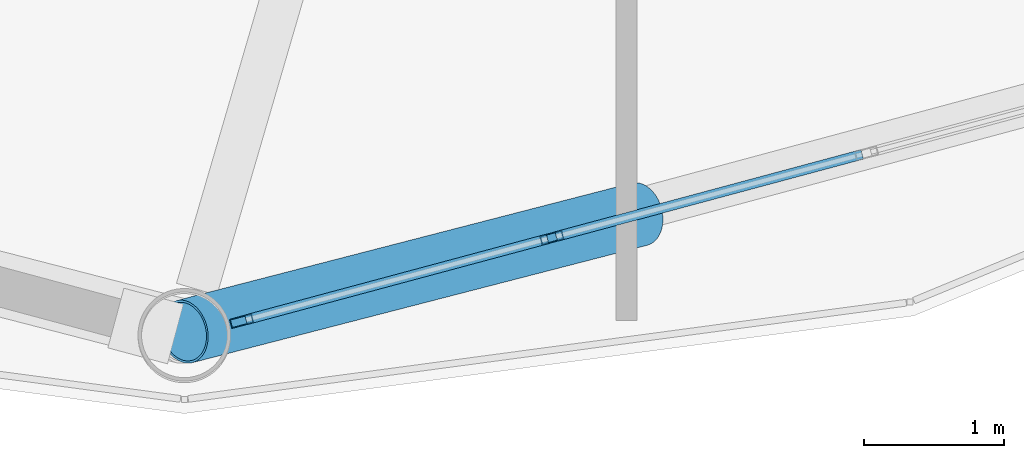
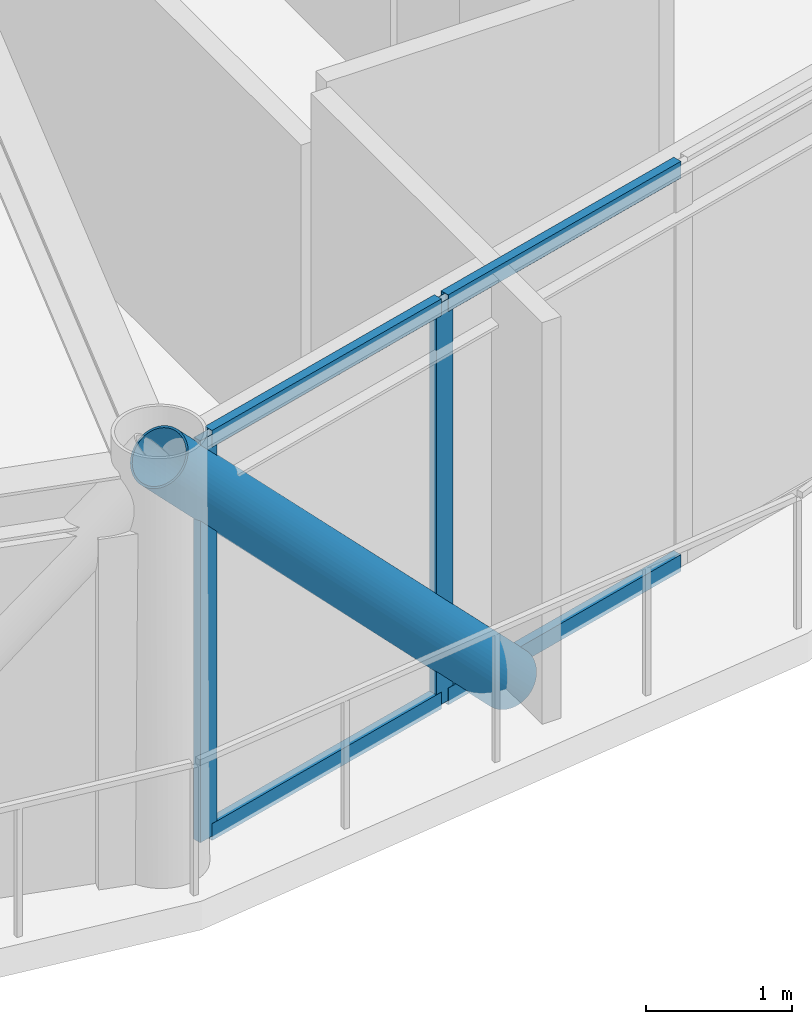
# One storey, part 8 of 29: 7 members, 1 element without a shape of its own.
"""IFC4 building model written with IfcOpenShell, lengths in metres."""

import ifcopenshell
import ifcopenshell.guid

model = None  # the IFC model being written
_history = None  # IfcOwnerHistory: only IFC2X3 demands one
_inside = {}  # id of a spatial element -> (the spatial element, [elements in it])
_under = {}  # id of a project, library or spatial element -> (it, [spatial elements below it])
_declared = {}  # id of a project -> (the project, [libraries it declares])
_typed = {}  # id of a type object -> (the type object, [elements of that type])
_made_of = {}  # id of a material, layer set ... -> (it, [elements and type objects made of it])


def new_model(schema):
    """Start an empty IFC model of exactly this schema.

    Asked for "IFC4X3", IfcOpenShell would pick the latest addendum, in which some entities
    have other attributes; the version numbers below select the first issue.
    IFC2X3 requires an IfcOwnerHistory on every rooted entity: one is made here for all.
    """
    global model, _history
    if schema == "IFC4X3":
        model = ifcopenshell.file(schema_version=(4, 3, 0, 0))
    else:
        model = ifcopenshell.file(schema=schema)
    _inside.clear()
    _under.clear()
    _declared.clear()
    _typed.clear()
    _made_of.clear()
    _history = None
    if model.schema == "IFC2X3":
        org = make("IfcOrganization", Name="unknown")
        user = make(
            "IfcPersonAndOrganization",
            ThePerson=make("IfcPerson", FamilyName="unknown"),
            TheOrganization=org,
        )
        app = make(
            "IfcApplication",
            ApplicationDeveloper=org,
            Version="unknown",
            ApplicationFullName="unknown",
            ApplicationIdentifier="unknown",
        )
        _history = make(
            "IfcOwnerHistory",
            OwningUser=user,
            OwningApplication=app,
            ChangeAction="ADDED",
            CreationDate=0,
        )
    return model


def make(cls, **values):
    """One entity of the class cls with the attributes given. An attribute that is None is left unset."""
    return model.create_entity(
        cls, **{name: value for name, value in values.items() if value is not None}
    )


def rooted(cls, **values):
    """An entity with a GlobalId (a new one), such as an element, a storey or a relation."""
    return make(cls, GlobalId=ifcopenshell.guid.new(), OwnerHistory=_history, **values)


def si_unit(unit_type, name, prefix=None):
    """IfcSIUnit, for example si_unit("LENGTHUNIT", "METRE", prefix="MILLI")."""
    return make("IfcSIUnit", UnitType=unit_type, Prefix=prefix, Name=name)


def assignment(units):
    """IfcUnitAssignment: the units of a project."""
    return None if units is None else make("IfcUnitAssignment", Units=units)


def point(xyz):
    """IfcCartesianPoint."""
    return None if xyz is None else make("IfcCartesianPoint", Coordinates=xyz)


def direction(xyz):
    """IfcDirection."""
    return None if xyz is None else make("IfcDirection", DirectionRatios=xyz)


def frame(location, z_axis=None, x_axis=None):
    """IfcAxis2Placement3D, a coordinate frame: its origin and axes. An axis left out is left unset."""
    return make(
        "IfcAxis2Placement3D",
        Location=point(location),
        Axis=direction(z_axis),
        RefDirection=direction(x_axis),
    )


def frame_2d(location, x_axis=None):
    """IfcAxis2Placement2D, a coordinate frame in the plane: its origin and x axis."""
    return make(
        "IfcAxis2Placement2D", Location=point(location), RefDirection=direction(x_axis)
    )


def origin():
    """The frame at (0, 0, 0) with its axes left unset."""
    return frame((0.0, 0.0, 0.0))


def origin_2d():
    """The frame at (0, 0) in the plane with its x axis left unset."""
    return frame_2d((0.0, 0.0))


def place(relative_to, where):
    """IfcLocalPlacement: puts the frame where relative to a parent placement (None: the world)."""
    return make(
        "IfcLocalPlacement", PlacementRelTo=relative_to, RelativePlacement=where
    )


def context(
    kind, dimensions, precision=None, world=None, true_north=None, identifier=None
):
    """IfcGeometricRepresentationContext, for example the 3D "Model" context."""
    return make(
        "IfcGeometricRepresentationContext",
        ContextIdentifier=identifier,
        ContextType=kind,
        CoordinateSpaceDimension=dimensions,
        Precision=precision,
        WorldCoordinateSystem=world,
        TrueNorth=true_north,
    )


def subcontext(parent, identifier, kind, view, scale=None):
    """IfcGeometricRepresentationSubContext, for example "Body" below "Model"."""
    return make(
        "IfcGeometricRepresentationSubContext",
        ContextIdentifier=identifier,
        ContextType=kind,
        ParentContext=parent,
        TargetScale=scale,
        TargetView=view,
    )


def project(units=None, contexts=None):
    """IfcProject with its units and contexts."""
    return rooted(
        "IfcProject",
        Name="project",
        RepresentationContexts=contexts,
        UnitsInContext=assignment(units),
    )


def spatial(cls, under=None, at=None, **own):
    """A site, building, storey or space (cls), placed at a placement, below another one or the project."""
    s = rooted(cls, ObjectPlacement=at, **own)
    if under is not None:
        _under.setdefault(under.id(), (under, []))[1].append(s)
    return s


def profile(cls, at=None, kind="AREA", **sizes):
    """A parametric profile (cls). Its sizes go by their IFC names, for example OverallWidth=200.0."""
    return make(cls, ProfileType=kind, Position=at, **sizes)


def hollow_rectangle(**sizes):
    """IfcRectangleHollowProfileDef."""
    return profile("IfcRectangleHollowProfileDef", **sizes)


def hollow_circle(**sizes):
    """IfcCircleHollowProfileDef."""
    return profile("IfcCircleHollowProfileDef", **sizes)


def extrude(swept, where, along, depth):
    """IfcExtrudedAreaSolid: the profile swept, set in the frame where, extruded along a direction by depth."""
    return make(
        "IfcExtrudedAreaSolid",
        SweptArea=swept,
        Position=where,
        ExtrudedDirection=direction(along),
        Depth=depth,
    )


def shape(context_of_items, identifier, shape_type, items):
    """IfcShapeRepresentation: the items that make up one representation, for example the "Body"."""
    return make(
        "IfcShapeRepresentation",
        ContextOfItems=context_of_items,
        RepresentationIdentifier=identifier,
        RepresentationType=shape_type,
        Items=items,
    )


def material(Name=None, Category=None):
    """IfcMaterial."""
    return make("IfcMaterial", Name=Name, Category=Category)


def layer(
    of_material, thickness, ventilated=None, Name=None, Category=None, Priority=None
):
    """IfcMaterialLayer: one layer of a wall or slab, of a material (None: an air gap)."""
    return make(
        "IfcMaterialLayer",
        Material=of_material,
        LayerThickness=thickness,
        IsVentilated=ventilated,
        Name=Name,
        Category=Category,
        Priority=Priority,
    )


def layer_set(layers, Name=None):
    """IfcMaterialLayerSet."""
    return make("IfcMaterialLayerSet", MaterialLayers=layers, LayerSetName=Name)


def material_profile(
    of_material, cross_section, Name=None, Category=None, Priority=None
):
    """IfcMaterialProfile: a cross section and its material."""
    return make(
        "IfcMaterialProfile",
        Name=Name,
        Material=of_material,
        Profile=cross_section,
        Priority=Priority,
        Category=Category,
    )


def profile_set(profiles, Name=None, composite=None):
    """IfcMaterialProfileSet."""
    return make(
        "IfcMaterialProfileSet",
        Name=Name,
        MaterialProfiles=profiles,
        CompositeProfile=composite,
    )


def made_of(thing, what):
    """Note that an element or type object is made of a material, layer set ...; save() writes the relation."""
    if what is not None:
        _made_of.setdefault(what.id(), (what, []))[1].append(thing)
    return thing


def type_object(cls, material=None, **own):
    """A type object (cls), such as IfcWallType, which elements share."""
    return made_of(rooted(cls, **own), material)


def element(
    cls,
    number,
    at=None,
    inside=None,
    cuts=None,
    type_object=None,
    material=None,
    context=None,
    identifier="Body",
    shape_type=None,
    held_by="IfcProductDefinitionShape",
    body=None,
    shapes=None,
    **own,
):
    """One element of the class cls, such as IfcWall. Its Tag is "e" and its number.

    at: its placement. inside: the storey or other place that contains it. cuts: it is an
    opening in that element (IfcRelVoidsElement). A single representation is given by context,
    identifier, shape_type and body (its items); several are given by shapes. held_by: the class
    of the entity that holds the representations. save() writes the other relations.
    """
    e = rooted(cls, Tag="e%d" % number, ObjectPlacement=at, **own)
    if body is not None:
        shapes = [shape(context, identifier, shape_type, body)]
    if shapes is not None:
        e.Representation = make(held_by, Representations=shapes)
    if inside is not None:
        _inside.setdefault(inside.id(), (inside, []))[1].append(e)
    if cuts is not None:
        rooted(
            "IfcRelVoidsElement", RelatingBuildingElement=cuts, RelatedOpeningElement=e
        )
    if type_object is not None:
        _typed.setdefault(type_object.id(), (type_object, []))[1].append(e)
    return made_of(e, material)


def aggregate(whole, parts):
    """IfcRelAggregates: a whole, such as a stair, and the parts it consists of."""
    return rooted("IfcRelAggregates", RelatingObject=whole, RelatedObjects=parts)


def save(model, path):
    """Write the relations noted so far, then the file.

    IfcRelAggregates (storeys below a building ...), IfcRelContainedInSpatialStructure (elements
    in a storey), IfcRelDefinesByType, IfcRelAssociatesMaterial and IfcRelDeclares: one each for
    every whole, place, type object, material and project.
    """
    for whole, parts in _under.values():
        aggregate(whole, parts)
    for where, things in _inside.values():
        rooted(
            "IfcRelContainedInSpatialStructure",
            RelatedElements=things,
            RelatingStructure=where,
        )
    for kind, things in _typed.values():
        rooted("IfcRelDefinesByType", RelatedObjects=things, RelatingType=kind)
    for what, things in _made_of.values():
        rooted("IfcRelAssociatesMaterial", RelatedObjects=things, RelatingMaterial=what)
    for by, libraries in _declared.values():
        rooted("IfcRelDeclares", RelatingContext=by, RelatedDefinitions=libraries)
    model.write(path)


model = new_model("IFC4")

# Units and contexts
model_context = context("Model", 3, precision=1e-05, world=origin(), true_north=direction((0.0, 1.0)))
body_context = subcontext(model_context, "Body", "Model", "MODEL_VIEW")
ifc_project = project(units=[si_unit("LENGTHUNIT", "METRE"), si_unit("AREAUNIT", "SQUARE_METRE"), si_unit("VOLUMEUNIT", "CUBIC_METRE"), si_unit("PLANEANGLEUNIT", "RADIAN"), si_unit("MASSUNIT", "GRAM", prefix="KILO")], contexts=[model_context])

# Site, building, storey
site_placement = place(None, origin())
site = spatial("IfcSite", under=ifc_project, at=site_placement, CompositionType="ELEMENT")
building_placement = place(site_placement, origin())
building = spatial("IfcBuilding", under=site, at=building_placement, Name="Varnakorn Sky Granary", CompositionType="ELEMENT")
storey_placement = place(building_placement, frame((0.0, 0.0, 189.60009765625)))
storey = spatial("IfcBuildingStorey", under=building, at=storey_placement, Name="L47", CompositionType="ELEMENT", Elevation=189.60009765625)

# Curtain wall, members
ifc_material_1 = material(Name="Anodised Bronze Aluminium Alloy 6063-T6", Category="aluminium")
ifc_layer = layer(ifc_material_1, 0.169921875, Name="Anodised Bronze Aluminium Alloy 6063-T6")
ifc_layer_set = layer_set([ifc_layer], Name="Anodised Bronze Aluminium Alloy 6063-T6")
curtain_wall_type = type_object("IfcCurtainWallType", Name="CW-LAB-1", PredefinedType="USERDEFINED", material=ifc_layer_set)
curtain_wall_placement = place(storey_placement, origin())
curtain_wall = element("IfcCurtainWall", 1, at=curtain_wall_placement, inside=storey, type_object=curtain_wall_type, Name="Unitised Curtain Wall CW5 CW-L47-B10", ObjectType="CURTAIN WALL", PredefinedType="USERDEFINED")
ifc_material_profile_1 = material_profile(ifc_material_1, hollow_rectangle(XDim=0.06494140625, YDim=0.159912109375, WallThickness=0.00341796875, at=origin_2d()), Name="ALU MULL 65x160")
ifc_profile_set_1 = profile_set([ifc_material_profile_1], Name="Anodised Bronze Aluminium Alloy 6063-T6")
member_type_1 = type_object("IfcMemberType", Name="CW-LAB-1-MULL", PredefinedType="MULLION", material=ifc_profile_set_1)
member_1_placement = place(storey_placement, frame((7.46875, -17.91162109375, 0.0), z_axis=(0.0, 0.0, 1.0), x_axis=(0.259358622753, -0.965781085342, 0.0)))
member_1 = element("IfcMember", 2, at=member_1_placement, type_object=member_type_1, Name="CW5 mullion 4", PredefinedType="MULLION", context=body_context, shape_type="SweptSolid", body=[
    extrude(hollow_rectangle(XDim=0.06494140625, YDim=0.159912109375, WallThickness=0.00341796875, at=origin_2d()), origin(), (0.0, 0.0, 1.0), 3.35986328125),
])
member_2_placement = place(storey_placement, frame((5.258056640625, -18.50537109375, 0.0), z_axis=(0.0, 0.0, 1.0), x_axis=(0.259358622753, -0.965781085342, 0.0)))
member_2 = element("IfcMember", 3, at=member_2_placement, type_object=member_type_1, Name="CW5 mullion 5", PredefinedType="MULLION", context=body_context, shape_type="SweptSolid", body=[
    extrude(hollow_rectangle(XDim=0.06494140625, YDim=0.159912109375, WallThickness=0.00341796875, at=origin_2d()), origin(), (0.0, 0.0, 1.0), 3.35986328125),
])
ifc_material_profile_2 = material_profile(ifc_material_1, hollow_rectangle(XDim=0.070068359375, YDim=0.139892578125, WallThickness=0.00341796875, at=origin_2d()), Name="ALU TRAN 70x140")
ifc_profile_set_2 = profile_set([ifc_material_profile_2], Name="Anodised Bronze Aluminium Alloy 6063-T6")
member_type_2 = type_object("IfcMemberType", Name="CW-LAB-1-TRAN", PredefinedType="USERDEFINED", material=ifc_profile_set_2)
member_3_placement = place(storey_placement, frame((9.6796875, -17.31787109375, 0.034912109375), z_axis=(-0.965762883683, -0.259426391293, 0.0), x_axis=(0.259426391293, -0.965762883683, 0.0)))
member_3 = element("IfcMember", 4, at=member_3_placement, type_object=member_type_2, Name="CW5 transom 3.1", ObjectType="TRANSOM", PredefinedType="USERDEFINED", context=body_context, shape_type="SweptSolid", body=[
    extrude(hollow_rectangle(XDim=0.070068359375, YDim=0.139892578125, WallThickness=0.00341796875, at=origin_2d()), origin(), (0.0, 0.0, 1.0), 2.256591796875),
])
member_4_placement = place(storey_placement, frame((9.6796875, -17.31787109375, 3.324951171875), z_axis=(-0.965762883683, -0.259426391293, 0.0), x_axis=(0.259426391293, -0.965762883683, 0.0)))
member_4 = element("IfcMember", 5, at=member_4_placement, type_object=member_type_2, Name="CW5 transom 3.2", ObjectType="TRANSOM", PredefinedType="USERDEFINED", context=body_context, shape_type="SweptSolid", body=[
    extrude(hollow_rectangle(XDim=0.070068359375, YDim=0.139892578125, WallThickness=0.00341796875, at=origin_2d()), origin(), (0.0, 0.0, 1.0), 2.256591796875),
])
member_5_placement = place(storey_placement, frame((7.4375, -17.920166015625, 0.034912109375), z_axis=(-0.965799937459, -0.259288412398, 0.0), x_axis=(0.259288412398, -0.965799937459, 0.0)))
member_5 = element("IfcMember", 6, at=member_5_placement, type_object=member_type_2, Name="CW5 transom 4.1", ObjectType="TRANSOM", PredefinedType="USERDEFINED", context=body_context, shape_type="SweptSolid", body=[
    extrude(hollow_rectangle(XDim=0.070068359375, YDim=0.139892578125, WallThickness=0.00341796875, at=origin_2d()), origin(), (0.0, 0.0, 1.0), 2.22412109375),
])
member_6_placement = place(storey_placement, frame((7.4375, -17.920166015625, 3.324951171875), z_axis=(-0.965799937459, -0.259288412398, 0.0), x_axis=(0.259288412398, -0.965799937459, 0.0)))
member_6 = element("IfcMember", 7, at=member_6_placement, type_object=member_type_2, Name="CW5 transom 4.2", ObjectType="TRANSOM", PredefinedType="USERDEFINED", context=body_context, shape_type="SweptSolid", body=[
    extrude(hollow_rectangle(XDim=0.070068359375, YDim=0.139892578125, WallThickness=0.00341796875, at=origin_2d()), origin(), (0.0, 0.0, 1.0), 2.22412109375),
])
aggregate(curtain_wall, [member_1, member_2, member_3, member_4, member_5, member_6])

# Member
ifc_material_2 = material(Name="Steel S460M", Category="steel")
ifc_material_profile_3 = material_profile(ifc_material_2, hollow_circle(Radius=0.228515625, WallThickness=0.01611328125, at=origin_2d()), Name="CHS 457x16")
ifc_profile_set_3 = profile_set([ifc_material_profile_3], Name="Steel S460M")
member_type_3 = type_object("IfcMemberType", Name="MB-DIAG-T3", PredefinedType="BRACE", material=ifc_profile_set_3)
member_7_placement = place(storey_placement, frame((8.0908203125, -17.74462890625, -0.130126953125), z_axis=(-0.670195874207, -0.172976575639, 0.721745519194), x_axis=(0.249908904793, -0.968269352662, 0.0)))
element("IfcMember", 8, at=member_7_placement, inside=storey, type_object=member_type_3, Name="Perimeter CHS Diagrid Brace DG10 L47", PredefinedType="BRACE", context=body_context, shape_type="SweptSolid", body=[
    extrude(hollow_circle(Radius=0.228515625, WallThickness=0.01611328125, at=origin_2d()), origin(), (0.0, 0.0, 1.0), 4.83544921875),
])

save(model, "model.ifc")
